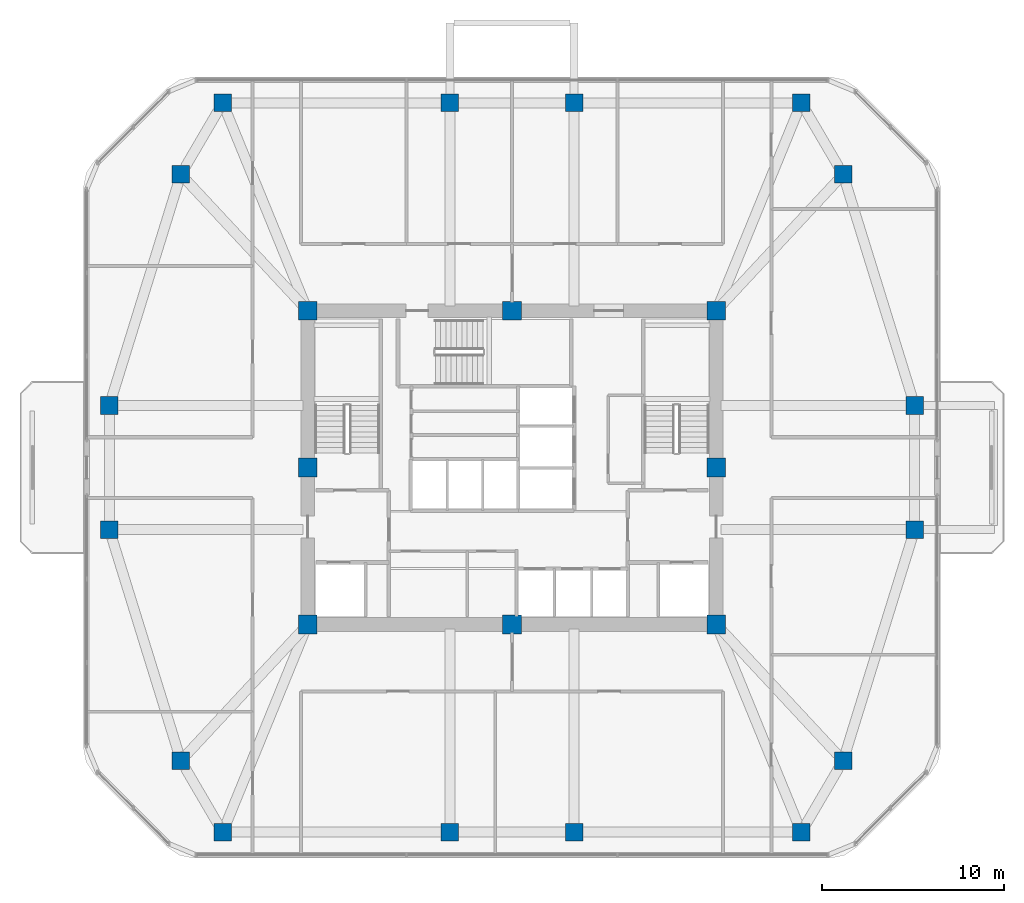
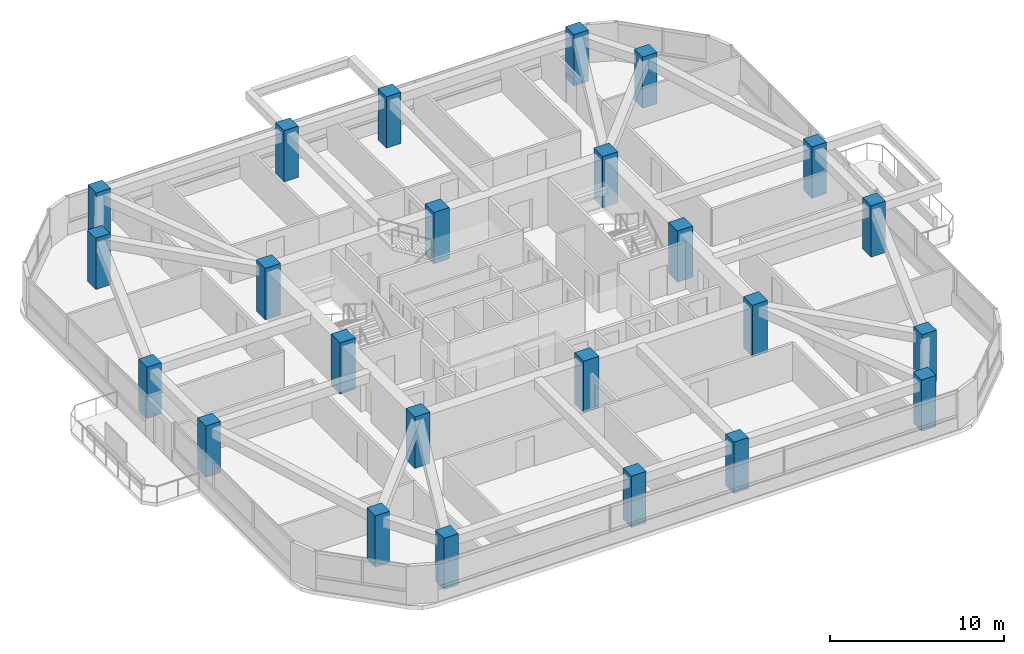
# One storey, part 1 of 12: 24 columns.
"""IFC4 building model written with IfcOpenShell, lengths in metres."""

from ifc_helpers import new_model, si_unit, derived_unit, direction, frame, origin, origin_2d, place, context, subcontext, project, spatial, rectangle, extrude, material, material_profile, profile_set, type_object, element, save


model = new_model("IFC4")

# Units and contexts
model_context = context("Model", 3, precision=1e-05, world=origin(), true_north=direction((0.0, 1.0)))
body_context = subcontext(model_context, "Body", "Model", "MODEL_VIEW")
ifc_project = project(units=[si_unit("LENGTHUNIT", "METRE"), si_unit("AREAUNIT", "SQUARE_METRE"), si_unit("VOLUMEUNIT", "CUBIC_METRE"), si_unit("PLANEANGLEUNIT", "RADIAN"), si_unit("MASSUNIT", "GRAM", prefix="KILO"), derived_unit("THERMALTRANSMITTANCEUNIT", [(si_unit("POWERUNIT", "WATT"), 1), (si_unit("LENGTHUNIT", "METRE"), -2), (si_unit("THERMODYNAMICTEMPERATUREUNIT", "KELVIN"), -1)])], contexts=[model_context])

# Site, building, storey
site_placement = place(None, origin())
site = spatial("IfcSite", under=ifc_project, at=site_placement, CompositionType="ELEMENT")
building_placement = place(site_placement, origin())
building = spatial("IfcBuilding", under=site, at=building_placement, Name="Koralith Skygarden Medical Center", CompositionType="ELEMENT")
storey_placement = place(building_placement, frame((0.0, 0.0, 170.820068359375)))
storey = spatial("IfcBuildingStorey", under=building, at=storey_placement, Name="L44", CompositionType="ELEMENT", Elevation=170.820068359375)

# Columns
ifc_material_1 = material(Name="Concrete C70/85", Category="concrete")
ifc_material_profile_1 = material_profile(ifc_material_1, rectangle(XDim=1.02001953125, YDim=1.02001953125, at=origin_2d()), Name="RC1020X1020")
ifc_profile_set_1 = profile_set([ifc_material_profile_1], Name="Concrete C70/85")
column_type_1 = type_object("IfcColumnType", Name="Core Mega-Column C70 RC1020", PredefinedType="COLUMN", material=ifc_profile_set_1)
for number, where, z_axis, x_axis, name in (
    (1, (25.800048828125, 17.300048828125, 0.0), (0.0, 0.0, 1.0), (1.0, 0.0, 0.0), "L44 Core Column CC-01"),
    (2, (37.0, 17.300048828125, 0.0), (0.0, 0.0, 1.0), (1.0, 0.0, 0.0), "L44 Core Column CC-02"),
    (3, (48.199951171875, 17.300048828125, 0.0), (0.0, 0.0, 1.0), (1.0, 0.0, 0.0), "L44 Core Column CC-03"),
    (4, (48.199951171875, 25.89990234375, 0.0), (0.0, 0.0, 1.0), (1.0, 0.0, 0.0), "L44 Core Column CC-04"),
    (5, (48.199951171875, 34.5, 0.0), (0.0, 0.0, 1.0), (1.0, 0.0, 0.0), "L44 Core Column CC-05"),
    (6, (37.0, 34.5, 0.0), (0.0, 0.0, 1.0), (1.0, 0.0, 0.0), "L44 Core Column CC-06"),
    (7, (25.800048828125, 34.5, 0.0), (0.0, 0.0, 1.0), (1.0, 0.0, 0.0), "L44 Core Column CC-07"),
    (8, (25.800048828125, 25.89990234375, 0.0), (0.0, 0.0, 1.0), (1.0, 0.0, 0.0), "L44 Core Column CC-08"),
):
    element("IfcColumn", number, at=place(storey_placement, frame(where, z_axis=z_axis, x_axis=x_axis)), inside=storey, type_object=column_type_1, Name=name, PredefinedType="COLUMN", context=body_context, shape_type="SweptSolid", body=[
        extrude(rectangle(XDim=1.02001953125, YDim=1.02001953125, at=origin_2d()), origin(), (0.0, 0.0, 1.0), 3.599853515625),
    ])
ifc_material_2 = material(Name="Concrete C55/67", Category="concrete")
ifc_material_profile_2 = material_profile(ifc_material_2, rectangle(XDim=0.9599609375, YDim=0.9599609375, at=origin_2d()), Name="RC960X960")
ifc_profile_set_2 = profile_set([ifc_material_profile_2], Name="Concrete C55/67")
column_type_2 = type_object("IfcColumnType", Name="Zone 3 Waist Mega-Column C55 RC960", PredefinedType="COLUMN", material=ifc_profile_set_2)
for number, where, z_axis, x_axis, name in (
    (9, (14.93603515625, 22.5, 0.0), (0.0, 0.0, 1.0), (1.0, 0.0, 0.0), "L44 Perimeter Mega-Column MC-01"),
    (10, (18.85595703125, 9.840087890625, 0.0), (0.0, 0.0, 1.0), (1.0, 0.0, 0.0), "L44 Perimeter Mega-Column MC-02"),
    (11, (21.14794921875, 5.919921875, 0.0), (0.0, 0.0, 1.0), (1.0, 0.0, 0.0), "L44 Perimeter Mega-Column MC-03"),
    (12, (33.60009765625, 5.919921875, 0.0), (0.0, 0.0, 1.0), (1.0, 0.0, 0.0), "L44 Perimeter Mega-Column MC-04"),
    (13, (40.39990234375, 5.919921875, 0.0), (0.0, 0.0, 1.0), (1.0, 0.0, 0.0), "L44 Perimeter Mega-Column MC-05"),
    (14, (52.85205078125, 5.919921875, 0.0), (0.0, 0.0, 1.0), (1.0, 0.0, 0.0), "L44 Perimeter Mega-Column MC-06"),
    (15, (55.14404296875, 9.840087890625, 0.0), (0.0, 0.0, 1.0), (1.0, 0.0, 0.0), "L44 Perimeter Mega-Column MC-07"),
    (16, (59.06396484375, 22.5, 0.0), (0.0, 0.0, 1.0), (1.0, 0.0, 0.0), "L44 Perimeter Mega-Column MC-08"),
    (17, (59.06396484375, 29.300048828125, 0.0), (0.0, 0.0, 1.0), (1.0, 0.0, 0.0), "L44 Perimeter Mega-Column MC-09"),
    (18, (55.14404296875, 41.9599609375, 0.0), (0.0, 0.0, 1.0), (1.0, 0.0, 0.0), "L44 Perimeter Mega-Column MC-10"),
    (19, (52.85205078125, 45.8798828125, 0.0), (0.0, 0.0, 1.0), (1.0, 0.0, 0.0), "L44 Perimeter Mega-Column MC-11"),
    (20, (40.39990234375, 45.8798828125, 0.0), (0.0, 0.0, 1.0), (1.0, 0.0, 0.0), "L44 Perimeter Mega-Column MC-12"),
    (21, (33.60009765625, 45.8798828125, 0.0), (0.0, 0.0, 1.0), (1.0, 0.0, 0.0), "L44 Perimeter Mega-Column MC-13"),
    (22, (21.14794921875, 45.8798828125, 0.0), (0.0, 0.0, 1.0), (1.0, 0.0, 0.0), "L44 Perimeter Mega-Column MC-14"),
    (23, (18.85595703125, 41.9599609375, 0.0), (0.0, 0.0, 1.0), (1.0, 0.0, 0.0), "L44 Perimeter Mega-Column MC-15"),
    (24, (14.93603515625, 29.300048828125, 0.0), (0.0, 0.0, 1.0), (1.0, 0.0, 0.0), "L44 Perimeter Mega-Column MC-16"),
):
    element("IfcColumn", number, at=place(storey_placement, frame(where, z_axis=z_axis, x_axis=x_axis)), inside=storey, type_object=column_type_2, Name=name, PredefinedType="COLUMN", context=body_context, shape_type="SweptSolid", body=[
        extrude(rectangle(XDim=0.9599609375, YDim=0.9599609375, at=origin_2d()), origin(), (0.0, 0.0, 1.0), 3.599853515625),
    ])

save(model, "model.ifc")
